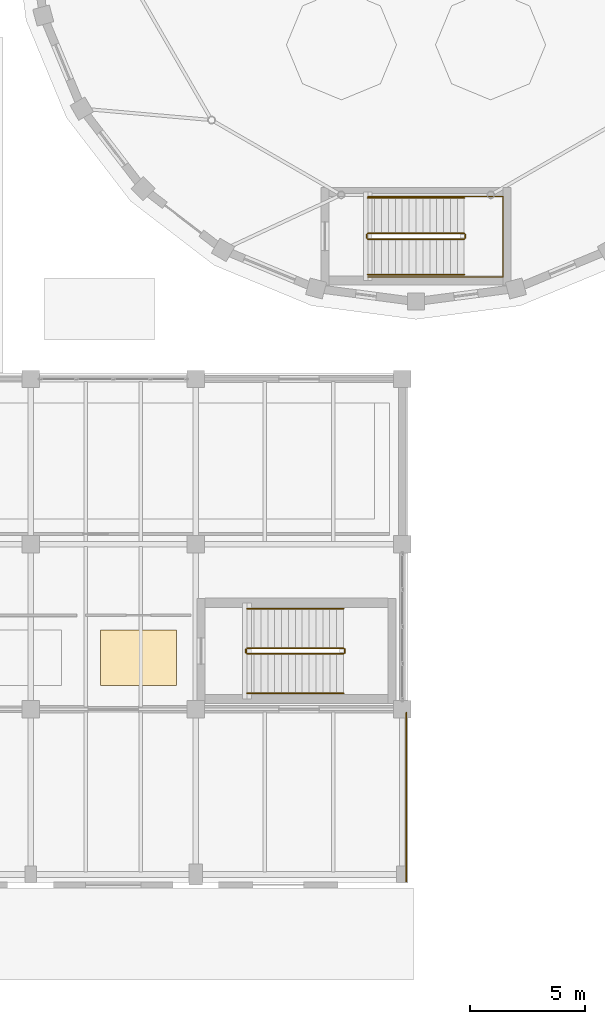
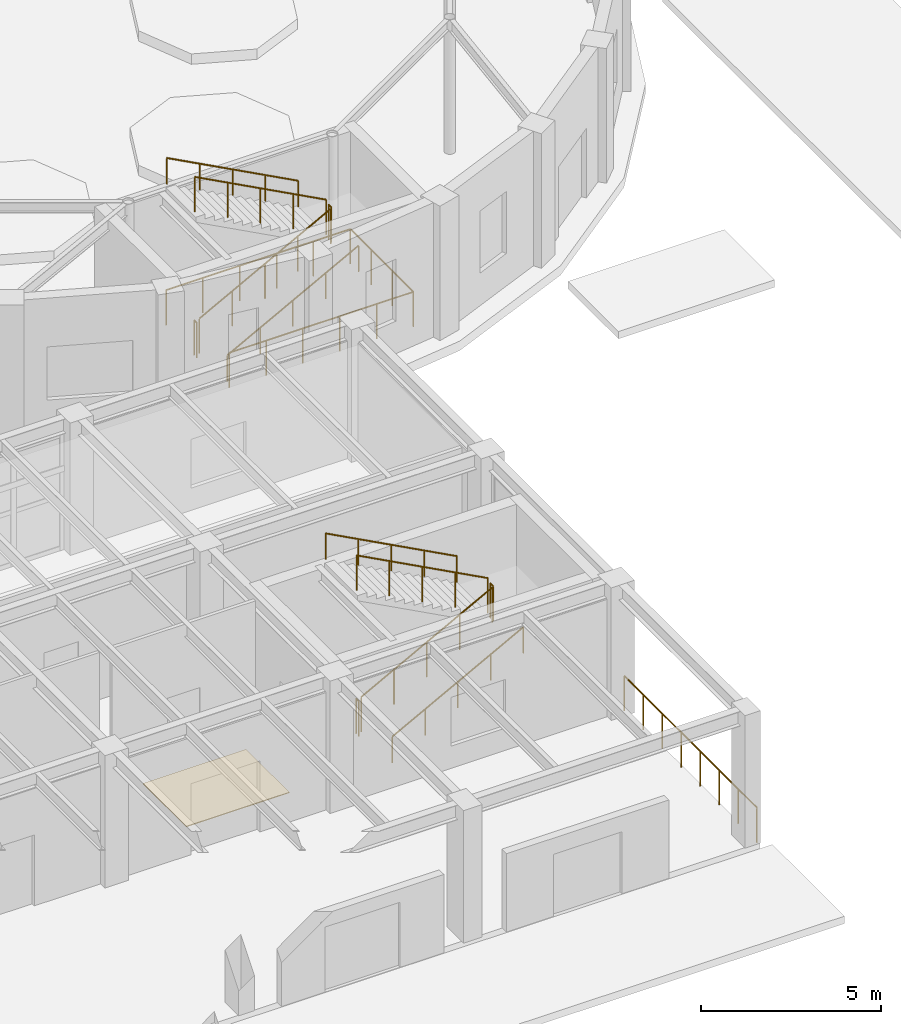
# One storey, part 38 of 39: 14 railings, 1 covering.
"""IFC4 building model written with IfcOpenShell, lengths in metres."""

import ifcopenshell
import ifcopenshell.guid

model = None  # the IFC model being written
_history = None  # IfcOwnerHistory: only IFC2X3 demands one
_inside = {}  # id of a spatial element -> (the spatial element, [elements in it])
_under = {}  # id of a project, library or spatial element -> (it, [spatial elements below it])
_declared = {}  # id of a project -> (the project, [libraries it declares])
_typed = {}  # id of a type object -> (the type object, [elements of that type])
_made_of = {}  # id of a material, layer set ... -> (it, [elements and type objects made of it])


def new_model(schema):
    """Start an empty IFC model of exactly this schema.

    Asked for "IFC4X3", IfcOpenShell would pick the latest addendum, in which some entities
    have other attributes; the version numbers below select the first issue.
    IFC2X3 requires an IfcOwnerHistory on every rooted entity: one is made here for all.
    """
    global model, _history
    if schema == "IFC4X3":
        model = ifcopenshell.file(schema_version=(4, 3, 0, 0))
    else:
        model = ifcopenshell.file(schema=schema)
    _inside.clear()
    _under.clear()
    _declared.clear()
    _typed.clear()
    _made_of.clear()
    _history = None
    if model.schema == "IFC2X3":
        org = make("IfcOrganization", Name="unknown")
        user = make(
            "IfcPersonAndOrganization",
            ThePerson=make("IfcPerson", FamilyName="unknown"),
            TheOrganization=org,
        )
        app = make(
            "IfcApplication",
            ApplicationDeveloper=org,
            Version="unknown",
            ApplicationFullName="unknown",
            ApplicationIdentifier="unknown",
        )
        _history = make(
            "IfcOwnerHistory",
            OwningUser=user,
            OwningApplication=app,
            ChangeAction="ADDED",
            CreationDate=0,
        )
    return model


def make(cls, **values):
    """One entity of the class cls with the attributes given. An attribute that is None is left unset."""
    return model.create_entity(
        cls, **{name: value for name, value in values.items() if value is not None}
    )


def rooted(cls, **values):
    """An entity with a GlobalId (a new one), such as an element, a storey or a relation."""
    return make(cls, GlobalId=ifcopenshell.guid.new(), OwnerHistory=_history, **values)


def si_unit(unit_type, name, prefix=None):
    """IfcSIUnit, for example si_unit("LENGTHUNIT", "METRE", prefix="MILLI")."""
    return make("IfcSIUnit", UnitType=unit_type, Prefix=prefix, Name=name)


def assignment(units):
    """IfcUnitAssignment: the units of a project."""
    return None if units is None else make("IfcUnitAssignment", Units=units)


def point(xyz):
    """IfcCartesianPoint."""
    return None if xyz is None else make("IfcCartesianPoint", Coordinates=xyz)


def direction(xyz):
    """IfcDirection."""
    return None if xyz is None else make("IfcDirection", DirectionRatios=xyz)


def frame(location, z_axis=None, x_axis=None):
    """IfcAxis2Placement3D, a coordinate frame: its origin and axes. An axis left out is left unset."""
    return make(
        "IfcAxis2Placement3D",
        Location=point(location),
        Axis=direction(z_axis),
        RefDirection=direction(x_axis),
    )


def frame_2d(location, x_axis=None):
    """IfcAxis2Placement2D, a coordinate frame in the plane: its origin and x axis."""
    return make(
        "IfcAxis2Placement2D", Location=point(location), RefDirection=direction(x_axis)
    )


def origin():
    """The frame at (0, 0, 0) with its axes left unset."""
    return frame((0.0, 0.0, 0.0))


def origin_2d():
    """The frame at (0, 0) in the plane with its x axis left unset."""
    return frame_2d((0.0, 0.0))


def place(relative_to, where):
    """IfcLocalPlacement: puts the frame where relative to a parent placement (None: the world)."""
    return make(
        "IfcLocalPlacement", PlacementRelTo=relative_to, RelativePlacement=where
    )


def context(
    kind, dimensions, precision=None, world=None, true_north=None, identifier=None
):
    """IfcGeometricRepresentationContext, for example the 3D "Model" context."""
    return make(
        "IfcGeometricRepresentationContext",
        ContextIdentifier=identifier,
        ContextType=kind,
        CoordinateSpaceDimension=dimensions,
        Precision=precision,
        WorldCoordinateSystem=world,
        TrueNorth=true_north,
    )


def subcontext(parent, identifier, kind, view, scale=None):
    """IfcGeometricRepresentationSubContext, for example "Body" below "Model"."""
    return make(
        "IfcGeometricRepresentationSubContext",
        ContextIdentifier=identifier,
        ContextType=kind,
        ParentContext=parent,
        TargetScale=scale,
        TargetView=view,
    )


def project(units=None, contexts=None):
    """IfcProject with its units and contexts."""
    return rooted(
        "IfcProject",
        Name="project",
        RepresentationContexts=contexts,
        UnitsInContext=assignment(units),
    )


def spatial(cls, under=None, at=None, **own):
    """A site, building, storey or space (cls), placed at a placement, below another one or the project."""
    s = rooted(cls, ObjectPlacement=at, **own)
    if under is not None:
        _under.setdefault(under.id(), (under, []))[1].append(s)
    return s


def polyline(points):
    """IfcPolyline through the points."""
    return make("IfcPolyline", Points=[point(p) for p in points])


def profile(cls, at=None, kind="AREA", **sizes):
    """A parametric profile (cls). Its sizes go by their IFC names, for example OverallWidth=200.0."""
    return make(cls, ProfileType=kind, Position=at, **sizes)


def circle(**sizes):
    """IfcCircleProfileDef."""
    return profile("IfcCircleProfileDef", **sizes)


def outline(outer, holes=None, kind="AREA"):
    """IfcArbitraryClosedProfileDef: a profile drawn as a closed curve; with holes, ...WithVoids."""
    if holes is None:
        return make("IfcArbitraryClosedProfileDef", ProfileType=kind, OuterCurve=outer)
    return make(
        "IfcArbitraryProfileDefWithVoids",
        ProfileType=kind,
        OuterCurve=outer,
        InnerCurves=holes,
    )


def extrude(swept, where, along, depth):
    """IfcExtrudedAreaSolid: the profile swept, set in the frame where, extruded along a direction by depth."""
    return make(
        "IfcExtrudedAreaSolid",
        SweptArea=swept,
        Position=where,
        ExtrudedDirection=direction(along),
        Depth=depth,
    )


def shape(context_of_items, identifier, shape_type, items):
    """IfcShapeRepresentation: the items that make up one representation, for example the "Body"."""
    return make(
        "IfcShapeRepresentation",
        ContextOfItems=context_of_items,
        RepresentationIdentifier=identifier,
        RepresentationType=shape_type,
        Items=items,
    )


def material(Name=None, Category=None):
    """IfcMaterial."""
    return make("IfcMaterial", Name=Name, Category=Category)


def layer(
    of_material, thickness, ventilated=None, Name=None, Category=None, Priority=None
):
    """IfcMaterialLayer: one layer of a wall or slab, of a material (None: an air gap)."""
    return make(
        "IfcMaterialLayer",
        Material=of_material,
        LayerThickness=thickness,
        IsVentilated=ventilated,
        Name=Name,
        Category=Category,
        Priority=Priority,
    )


def layer_set(layers, Name=None):
    """IfcMaterialLayerSet."""
    return make("IfcMaterialLayerSet", MaterialLayers=layers, LayerSetName=Name)


def made_of(thing, what):
    """Note that an element or type object is made of a material, layer set ...; save() writes the relation."""
    if what is not None:
        _made_of.setdefault(what.id(), (what, []))[1].append(thing)
    return thing


def type_object(cls, material=None, **own):
    """A type object (cls), such as IfcWallType, which elements share."""
    return made_of(rooted(cls, **own), material)


def element(
    cls,
    number,
    at=None,
    inside=None,
    cuts=None,
    type_object=None,
    material=None,
    context=None,
    identifier="Body",
    shape_type=None,
    held_by="IfcProductDefinitionShape",
    body=None,
    shapes=None,
    **own,
):
    """One element of the class cls, such as IfcWall. Its Tag is "e" and its number.

    at: its placement. inside: the storey or other place that contains it. cuts: it is an
    opening in that element (IfcRelVoidsElement). A single representation is given by context,
    identifier, shape_type and body (its items); several are given by shapes. held_by: the class
    of the entity that holds the representations. save() writes the other relations.
    """
    e = rooted(cls, Tag="e%d" % number, ObjectPlacement=at, **own)
    if body is not None:
        shapes = [shape(context, identifier, shape_type, body)]
    if shapes is not None:
        e.Representation = make(held_by, Representations=shapes)
    if inside is not None:
        _inside.setdefault(inside.id(), (inside, []))[1].append(e)
    if cuts is not None:
        rooted(
            "IfcRelVoidsElement", RelatingBuildingElement=cuts, RelatedOpeningElement=e
        )
    if type_object is not None:
        _typed.setdefault(type_object.id(), (type_object, []))[1].append(e)
    return made_of(e, material)


def aggregate(whole, parts):
    """IfcRelAggregates: a whole, such as a stair, and the parts it consists of."""
    return rooted("IfcRelAggregates", RelatingObject=whole, RelatedObjects=parts)


def save(model, path):
    """Write the relations noted so far, then the file.

    IfcRelAggregates (storeys below a building ...), IfcRelContainedInSpatialStructure (elements
    in a storey), IfcRelDefinesByType, IfcRelAssociatesMaterial and IfcRelDeclares: one each for
    every whole, place, type object, material and project.
    """
    for whole, parts in _under.values():
        aggregate(whole, parts)
    for where, things in _inside.values():
        rooted(
            "IfcRelContainedInSpatialStructure",
            RelatedElements=things,
            RelatingStructure=where,
        )
    for kind, things in _typed.values():
        rooted("IfcRelDefinesByType", RelatedObjects=things, RelatingType=kind)
    for what, things in _made_of.values():
        rooted("IfcRelAssociatesMaterial", RelatedObjects=things, RelatingMaterial=what)
    for by, libraries in _declared.values():
        rooted("IfcRelDeclares", RelatingContext=by, RelatedDefinitions=libraries)
    model.write(path)


model = new_model("IFC4")

# Units and contexts
model_context = context("Model", 3, precision=1e-05, world=origin(), true_north=direction((0.0, 1.0)))
body_context = subcontext(model_context, "Body", "Model", "MODEL_VIEW")
ifc_project = project(units=[si_unit("LENGTHUNIT", "METRE"), si_unit("AREAUNIT", "SQUARE_METRE"), si_unit("VOLUMEUNIT", "CUBIC_METRE"), si_unit("PLANEANGLEUNIT", "RADIAN"), si_unit("MASSUNIT", "GRAM", prefix="KILO")], contexts=[model_context])

# Site, building, storey
site_placement = place(None, origin())
site = spatial("IfcSite", under=ifc_project, at=site_placement, CompositionType="ELEMENT")
building_placement = place(site_placement, origin())
building = spatial("IfcBuilding", under=site, at=building_placement, Name="Kandorven Conservatory and Botanical Research Centre", CompositionType="ELEMENT")
storey_placement = place(building_placement, origin())
storey = spatial("IfcBuildingStorey", under=building, at=storey_placement, Name="L00", CompositionType="ELEMENT", Elevation=0.0)

# Covering
ifc_material_1 = material(Name="Honed Kota stone and epoxy laboratory flooring", Category="masonry")
ifc_layer = layer(ifc_material_1, 0.02490234375)
ifc_layer_set = layer_set([ifc_layer], Name="Honed Kota stone and epoxy laboratory flooring")
covering_type = type_object("IfcCoveringType", Name="Cov_Flooring_1", PredefinedType="FLOORING", material=ifc_layer_set)
covering_placement = place(storey_placement, origin())
element("IfcCovering", 1, at=covering_placement, inside=storey, type_object=covering_type, Name="Floor finish FLR-01 (Botanical Courtyard Cafe)", PredefinedType="FLOORING", context=body_context, shape_type="SweptSolid", body=[
    extrude(outline(polyline([(73.85009765625, 14.25), (77.14990234375, 14.25), (77.14990234375, 16.64990234375), (73.85009765625, 16.64990234375), (73.85009765625, 14.25)])), origin(), (0.0, 0.0, 1.0), 0.02490234375),
])

# Railings
ifc_material_2 = material(Name="Steel S355 (IS 2062 E350)", Category="steel")
railing_type_1 = type_object("IfcRailingType", Name="Guard_Terrace", PredefinedType="BALUSTRADE", material=ifc_material_2)
railing_1_placement = place(storey_placement, frame((87.179931640625, 5.699951171875, 0.0)))
element("IfcRailing", 2, at=railing_1_placement, inside=storey, type_object=railing_type_1, Name="Visitor L00 east colonnade edge guard balustrade GR-01", PredefinedType="BALUSTRADE", context=body_context, shape_type="SweptSolid", body=[
    extrude(circle(Radius=0.02392578125, at=origin_2d()), frame((0.0, 0.0, 1.17578125), z_axis=(0.0, 1.0, 0.0), x_axis=(-1.0, 0.0, 0.0)), (0.0, 0.0, 1.0), 7.35009765625),
    extrude(circle(Radius=0.02099609375, at=origin_2d()), origin(), (0.0, 0.0, 1.0), 1.15185546875),
    extrude(circle(Radius=0.02099609375, at=origin_2d()), frame((0.0, 1.050048828125, 0.0)), (0.0, 0.0, 1.0), 1.15185546875),
    extrude(circle(Radius=0.02099609375, at=origin_2d()), frame((0.0, 2.10009765625, 0.0)), (0.0, 0.0, 1.0), 1.15185546875),
    extrude(circle(Radius=0.02099609375, at=origin_2d()), frame((0.0, 3.150146484375, 0.0)), (0.0, 0.0, 1.0), 1.15185546875),
    extrude(circle(Radius=0.02099609375, at=origin_2d()), frame((0.0, 4.199951171875, 0.0)), (0.0, 0.0, 1.0), 1.15185546875),
    extrude(circle(Radius=0.02099609375, at=origin_2d()), frame((0.0, 5.25, 0.0)), (0.0, 0.0, 1.0), 1.15185546875),
    extrude(circle(Radius=0.02099609375, at=origin_2d()), frame((0.0, 6.300048828125, 0.0)), (0.0, 0.0, 1.0), 1.15185546875),
    extrude(circle(Radius=0.02099609375, at=origin_2d()), frame((0.0, 7.35009765625, 0.0)), (0.0, 0.0, 1.0), 1.15185546875),
])
railing_2_placement = place(storey_placement, frame((85.5, 32.050048828125, 0.0)))
element("IfcRailing", 3, at=railing_2_placement, inside=storey, type_object=railing_type_1, Name="Conservatory stair ST-V1 L00 well edge guard GR-01", PredefinedType="BALUSTRADE", context=body_context, shape_type="SweptSolid", body=[
    extrude(circle(Radius=0.02392578125, at=origin_2d()), frame((0.0, 0.0, 1.17578125), z_axis=(1.0, 0.0, 0.0), x_axis=(0.0, 1.0, 0.0)), (0.0, 0.0, 1.0), 5.89990234375),
    extrude(circle(Radius=0.02392578125, at=origin_2d()), frame((5.89990234375, 0.0, 1.17578125), z_axis=(0.0, 1.0, 0.0), x_axis=(-1.0, 0.0, 0.0)), (0.0, 0.0, 1.0), 3.5),
    extrude(circle(Radius=0.02392578125, at=origin_2d()), frame((5.89990234375, 3.5, 1.17578125), z_axis=(-1.0, 0.0, 0.0), x_axis=(0.0, -1.0, 0.0)), (0.0, 0.0, 1.0), 5.89990234375),
    extrude(circle(Radius=0.02099609375, at=origin_2d()), origin(), (0.0, 0.0, 1.0), 1.15185546875),
    extrude(circle(Radius=0.02099609375, at=origin_2d()), frame((1.179931640625, 0.0, 0.0)), (0.0, 0.0, 1.0), 1.15185546875),
    extrude(circle(Radius=0.02099609375, at=origin_2d()), frame((2.35986328125, 0.0, 0.0)), (0.0, 0.0, 1.0), 1.15185546875),
    extrude(circle(Radius=0.02099609375, at=origin_2d()), frame((3.5400390625, 0.0, 0.0)), (0.0, 0.0, 1.0), 1.15185546875),
    extrude(circle(Radius=0.02099609375, at=origin_2d()), frame((4.719970703125, 0.0, 0.0)), (0.0, 0.0, 1.0), 1.15185546875),
    extrude(circle(Radius=0.02099609375, at=origin_2d()), frame((5.89990234375, 0.0, 0.0)), (0.0, 0.0, 1.0), 1.15185546875),
    extrude(circle(Radius=0.02099609375, at=origin_2d()), frame((5.89990234375, 1.166748046875, 0.0)), (0.0, 0.0, 1.0), 1.15185546875),
    extrude(circle(Radius=0.02099609375, at=origin_2d()), frame((5.89990234375, 2.333251953125, 0.0)), (0.0, 0.0, 1.0), 1.15185546875),
    extrude(circle(Radius=0.02099609375, at=origin_2d()), frame((5.89990234375, 3.5, 0.0)), (0.0, 0.0, 1.0), 1.15185546875),
    extrude(circle(Radius=0.02099609375, at=origin_2d()), frame((4.719970703125, 3.5, 0.0)), (0.0, 0.0, 1.0), 1.15185546875),
    extrude(circle(Radius=0.02099609375, at=origin_2d()), frame((3.5400390625, 3.5, 0.0)), (0.0, 0.0, 1.0), 1.15185546875),
    extrude(circle(Radius=0.02099609375, at=origin_2d()), frame((2.35986328125, 3.5, 0.0)), (0.0, 0.0, 1.0), 1.15185546875),
    extrude(circle(Radius=0.02099609375, at=origin_2d()), frame((1.179931640625, 3.5, 0.0)), (0.0, 0.0, 1.0), 1.15185546875),
    extrude(circle(Radius=0.02099609375, at=origin_2d()), frame((0.0, 3.5, 0.0)), (0.0, 0.0, 1.0), 1.15185546875),
])
ifc_material_3 = material(Name="Steel S355 (IS 2062 E350)", Category="steel")
railing_type_2 = type_object("IfcRailingType", Name="StairGuard_1150", PredefinedType="BALUSTRADE", material=ifc_material_3)
railing_3_placement = place(storey_placement, frame((80.239990234375, 15.6201171875, 0.159912109375)))
element("IfcRailing", 4, at=railing_3_placement, inside=storey, type_object=railing_type_2, Name="L00 ST-V3B stair guard 1", PredefinedType="BALUSTRADE", context=body_context, shape_type="SweptSolid", body=[
    extrude(circle(Radius=0.02392578125, at=origin_2d()), frame((0.0, 0.0, 1.17578125), z_axis=(0.882351521365, 0.0, 0.470590897432), x_axis=(0.0, 1.0, 0.0)), (0.0, 0.0, 1.0), 4.760009765625),
    extrude(circle(Radius=0.02099609375, at=origin_2d()), origin(), (0.0, 0.0, 1.0), 1.15185546875),
    extrude(circle(Radius=0.02099609375, at=origin_2d()), frame((1.050048828125, 0.0, 0.56005859375)), (0.0, 0.0, 1.0), 1.15185546875),
    extrude(circle(Radius=0.02099609375, at=origin_2d()), frame((2.10009765625, 0.0, 1.1201171875)), (0.0, 0.0, 1.0), 1.15185546875),
    extrude(circle(Radius=0.02099609375, at=origin_2d()), frame((3.14990234375, 0.0, 1.679931640625)), (0.0, 0.0, 1.0), 1.15185546875),
    extrude(circle(Radius=0.02099609375, at=origin_2d()), frame((4.199951171875, 0.0, 2.239990234375)), (0.0, 0.0, 1.0), 1.15185546875),
])
railing_4_placement = place(storey_placement, frame((84.489990234375, 15.669921875, 2.39990234375)))
element("IfcRailing", 5, at=railing_4_placement, inside=storey, type_object=railing_type_2, Name="L00 ST-V3B stair guard 2", PredefinedType="BALUSTRADE", context=body_context, shape_type="SweptSolid", body=[
    extrude(circle(Radius=0.02392578125, at=origin_2d()), frame((0.0, 0.0, 1.17578125), z_axis=(0.0, 1.0, 0.0), x_axis=(-1.0, 0.0, 0.0)), (0.0, 0.0, 1.0), 0.150146484375),
    extrude(circle(Radius=0.02099609375, at=origin_2d()), origin(), (0.0, 0.0, 1.0), 1.15185546875),
    extrude(circle(Radius=0.02099609375, at=origin_2d()), frame((0.0, 0.150146484375, 0.0)), (0.0, 0.0, 1.0), 1.15185546875),
])
railing_5_placement = place(storey_placement, frame((84.43994140625, 15.8701171875, 2.56005859375)))
element("IfcRailing", 6, at=railing_5_placement, inside=storey, type_object=railing_type_2, Name="L00 ST-V3B stair guard 3", PredefinedType="BALUSTRADE", context=body_context, shape_type="SweptSolid", body=[
    extrude(circle(Radius=0.02392578125, at=origin_2d()), frame((0.0, 0.0, 1.17578125), z_axis=(-0.882351521365, 0.0, 0.470590897432), x_axis=(0.0, -1.0, 0.0)), (0.0, 0.0, 1.0), 4.760009765625),
    extrude(circle(Radius=0.02099609375, at=origin_2d()), origin(), (0.0, 0.0, 1.0), 1.15185546875),
    extrude(circle(Radius=0.02099609375, at=origin_2d()), frame((-1.050048828125, 0.0, 0.56005859375)), (0.0, 0.0, 1.0), 1.15185546875),
    extrude(circle(Radius=0.02099609375, at=origin_2d()), frame((-2.10009765625, 0.0, 1.1201171875)), (0.0, 0.0, 1.0), 1.15185546875),
    extrude(circle(Radius=0.02099609375, at=origin_2d()), frame((-3.14990234375, 0.0, 1.679931640625)), (0.0, 0.0, 1.0), 1.15185546875),
    extrude(circle(Radius=0.02099609375, at=origin_2d()), frame((-4.199951171875, 0.0, 2.239990234375)), (0.0, 0.0, 1.0), 1.15185546875),
])
railing_6_placement = place(storey_placement, frame((80.18994140625, 15.669921875, 0.0)))
element("IfcRailing", 7, at=railing_6_placement, inside=storey, type_object=railing_type_2, Name="L00 ST-V3B stair guard 4", PredefinedType="BALUSTRADE", context=body_context, shape_type="SweptSolid", body=[
    extrude(circle(Radius=0.02392578125, at=origin_2d()), frame((0.0, 0.0, 1.17578125), z_axis=(0.0, 1.0, 0.0), x_axis=(-1.0, 0.0, 0.0)), (0.0, 0.0, 1.0), 0.150146484375),
    extrude(circle(Radius=0.02099609375, at=origin_2d()), origin(), (0.0, 0.0, 1.0), 1.15185546875),
    extrude(circle(Radius=0.02099609375, at=origin_2d()), frame((0.0, 0.150146484375, 0.0)), (0.0, 0.0, 1.0), 1.15185546875),
])
railing_7_placement = place(storey_placement, frame((85.5, 33.699951171875, 0.159912109375)))
element("IfcRailing", 8, at=railing_7_placement, inside=storey, type_object=railing_type_2, Name="L00 ST-V1 stair guard 1", PredefinedType="BALUSTRADE", context=body_context, shape_type="SweptSolid", body=[
    extrude(circle(Radius=0.02392578125, at=origin_2d()), frame((0.0, 0.0, 1.17578125), z_axis=(0.882351521365, 0.0, 0.470590897432), x_axis=(0.0, 1.0, 0.0)), (0.0, 0.0, 1.0), 4.760009765625),
    extrude(circle(Radius=0.02099609375, at=origin_2d()), origin(), (0.0, 0.0, 1.0), 1.15185546875),
    extrude(circle(Radius=0.02099609375, at=origin_2d()), frame((1.050048828125, 0.0, 0.56005859375)), (0.0, 0.0, 1.0), 1.15185546875),
    extrude(circle(Radius=0.02099609375, at=origin_2d()), frame((2.10009765625, 0.0, 1.1201171875)), (0.0, 0.0, 1.0), 1.15185546875),
    extrude(circle(Radius=0.02099609375, at=origin_2d()), frame((3.14990234375, 0.0, 1.679931640625)), (0.0, 0.0, 1.0), 1.15185546875),
    extrude(circle(Radius=0.02099609375, at=origin_2d()), frame((4.199951171875, 0.0, 2.239990234375)), (0.0, 0.0, 1.0), 1.15185546875),
])
railing_8_placement = place(storey_placement, frame((89.75, 33.75, 2.39990234375)))
element("IfcRailing", 9, at=railing_8_placement, inside=storey, type_object=railing_type_2, Name="L00 ST-V1 stair guard 2", PredefinedType="BALUSTRADE", context=body_context, shape_type="SweptSolid", body=[
    extrude(circle(Radius=0.02392578125, at=origin_2d()), frame((0.0, 0.0, 1.17578125), z_axis=(0.0, 1.0, 0.0), x_axis=(-1.0, 0.0, 0.0)), (0.0, 0.0, 1.0), 0.14990234375),
    extrude(circle(Radius=0.02099609375, at=origin_2d()), origin(), (0.0, 0.0, 1.0), 1.15185546875),
    extrude(circle(Radius=0.02099609375, at=origin_2d()), frame((0.0, 0.14990234375, 0.0)), (0.0, 0.0, 1.0), 1.15185546875),
])
railing_9_placement = place(storey_placement, frame((89.699951171875, 33.949951171875, 2.56005859375)))
element("IfcRailing", 10, at=railing_9_placement, inside=storey, type_object=railing_type_2, Name="L00 ST-V1 stair guard 3", PredefinedType="BALUSTRADE", context=body_context, shape_type="SweptSolid", body=[
    extrude(circle(Radius=0.02392578125, at=origin_2d()), frame((0.0, 0.0, 1.17578125), z_axis=(-0.882351521365, 0.0, 0.470590897432), x_axis=(0.0, -1.0, 0.0)), (0.0, 0.0, 1.0), 4.760009765625),
    extrude(circle(Radius=0.02099609375, at=origin_2d()), origin(), (0.0, 0.0, 1.0), 1.15185546875),
    extrude(circle(Radius=0.02099609375, at=origin_2d()), frame((-1.050048828125, 0.0, 0.56005859375)), (0.0, 0.0, 1.0), 1.15185546875),
    extrude(circle(Radius=0.02099609375, at=origin_2d()), frame((-2.10009765625, 0.0, 1.1201171875)), (0.0, 0.0, 1.0), 1.15185546875),
    extrude(circle(Radius=0.02099609375, at=origin_2d()), frame((-3.14990234375, 0.0, 1.679931640625)), (0.0, 0.0, 1.0), 1.15185546875),
    extrude(circle(Radius=0.02099609375, at=origin_2d()), frame((-4.199951171875, 0.0, 2.239990234375)), (0.0, 0.0, 1.0), 1.15185546875),
])
railing_10_placement = place(storey_placement, frame((85.449951171875, 33.75, 0.0)))
element("IfcRailing", 11, at=railing_10_placement, inside=storey, type_object=railing_type_2, Name="L00 ST-V1 stair guard 4", PredefinedType="BALUSTRADE", context=body_context, shape_type="SweptSolid", body=[
    extrude(circle(Radius=0.02392578125, at=origin_2d()), frame((0.0, 0.0, 1.17578125), z_axis=(0.0, 1.0, 0.0), x_axis=(-1.0, 0.0, 0.0)), (0.0, 0.0, 1.0), 0.14990234375),
    extrude(circle(Radius=0.02099609375, at=origin_2d()), origin(), (0.0, 0.0, 1.0), 1.15185546875),
    extrude(circle(Radius=0.02099609375, at=origin_2d()), frame((0.0, 0.14990234375, 0.0)), (0.0, 0.0, 1.0), 1.15185546875),
])
ifc_material_4 = material(Name="Steel S355 (IS 2062 E350)", Category="steel")
railing_type_3 = type_object("IfcRailingType", Name="StairHandrail_900", PredefinedType="HANDRAIL", material=ifc_material_4)
railing_11_placement = place(storey_placement, frame((80.239990234375, 13.89990234375, 0.159912109375)))
element("IfcRailing", 12, at=railing_11_placement, inside=storey, type_object=railing_type_3, Name="L00 ST-V3B stair handrail 1", PredefinedType="HANDRAIL", context=body_context, shape_type="SweptSolid", body=[
    extrude(circle(Radius=0.02392578125, at=origin_2d()), frame((0.0, 0.0, 0.8759765625), z_axis=(0.882351521365, 0.0, 0.470590897432), x_axis=(0.0, 1.0, 0.0)), (0.0, 0.0, 1.0), 4.760009765625),
    extrude(circle(Radius=0.02099609375, at=origin_2d()), origin(), (0.0, 0.0, 1.0), 0.851806640625),
    extrude(circle(Radius=0.02099609375, at=origin_2d()), frame((1.050048828125, 0.0, 0.56005859375)), (0.0, 0.0, 1.0), 0.851806640625),
    extrude(circle(Radius=0.02099609375, at=origin_2d()), frame((2.10009765625, 0.0, 1.1201171875)), (0.0, 0.0, 1.0), 0.851806640625),
    extrude(circle(Radius=0.02099609375, at=origin_2d()), frame((3.14990234375, 0.0, 1.679931640625)), (0.0, 0.0, 1.0), 0.851806640625),
    extrude(circle(Radius=0.02099609375, at=origin_2d()), frame((4.199951171875, 0.0, 2.239990234375)), (0.0, 0.0, 1.0), 0.851806640625),
])
railing_12_placement = place(storey_placement, frame((84.43994140625, 17.590087890625, 2.56005859375)))
element("IfcRailing", 13, at=railing_12_placement, inside=storey, type_object=railing_type_3, Name="L00 ST-V3B stair handrail 2", PredefinedType="HANDRAIL", context=body_context, shape_type="SweptSolid", body=[
    extrude(circle(Radius=0.02392578125, at=origin_2d()), frame((0.0, 0.0, 0.8759765625), z_axis=(-0.882351521365, 0.0, 0.470590897432), x_axis=(0.0, -1.0, 0.0)), (0.0, 0.0, 1.0), 4.760009765625),
    extrude(circle(Radius=0.02099609375, at=origin_2d()), origin(), (0.0, 0.0, 1.0), 0.851806640625),
    extrude(circle(Radius=0.02099609375, at=origin_2d()), frame((-1.050048828125, 0.0, 0.56005859375)), (0.0, 0.0, 1.0), 0.851806640625),
    extrude(circle(Radius=0.02099609375, at=origin_2d()), frame((-2.10009765625, 0.0, 1.1201171875)), (0.0, 0.0, 1.0), 0.851806640625),
    extrude(circle(Radius=0.02099609375, at=origin_2d()), frame((-3.14990234375, 0.0, 1.679931640625)), (0.0, 0.0, 1.0), 0.851806640625),
    extrude(circle(Radius=0.02099609375, at=origin_2d()), frame((-4.199951171875, 0.0, 2.239990234375)), (0.0, 0.0, 1.0), 0.851806640625),
])
railing_13_placement = place(storey_placement, frame((85.5, 32.14990234375, 0.159912109375)))
element("IfcRailing", 14, at=railing_13_placement, inside=storey, type_object=railing_type_3, Name="L00 ST-V1 stair handrail 1", PredefinedType="HANDRAIL", context=body_context, shape_type="SweptSolid", body=[
    extrude(circle(Radius=0.02392578125, at=origin_2d()), frame((0.0, 0.0, 0.8759765625), z_axis=(0.882351521365, 0.0, 0.470590897432), x_axis=(0.0, 1.0, 0.0)), (0.0, 0.0, 1.0), 4.760009765625),
    extrude(circle(Radius=0.02099609375, at=origin_2d()), origin(), (0.0, 0.0, 1.0), 0.851806640625),
    extrude(circle(Radius=0.02099609375, at=origin_2d()), frame((1.050048828125, 0.0, 0.56005859375)), (0.0, 0.0, 1.0), 0.851806640625),
    extrude(circle(Radius=0.02099609375, at=origin_2d()), frame((2.10009765625, 0.0, 1.1201171875)), (0.0, 0.0, 1.0), 0.851806640625),
    extrude(circle(Radius=0.02099609375, at=origin_2d()), frame((3.14990234375, 0.0, 1.679931640625)), (0.0, 0.0, 1.0), 0.851806640625),
    extrude(circle(Radius=0.02099609375, at=origin_2d()), frame((4.199951171875, 0.0, 2.239990234375)), (0.0, 0.0, 1.0), 0.851806640625),
])
railing_14_placement = place(storey_placement, frame((89.699951171875, 35.5, 2.56005859375)))
element("IfcRailing", 15, at=railing_14_placement, inside=storey, type_object=railing_type_3, Name="L00 ST-V1 stair handrail 2", PredefinedType="HANDRAIL", context=body_context, shape_type="SweptSolid", body=[
    extrude(circle(Radius=0.02392578125, at=origin_2d()), frame((0.0, 0.0, 0.8759765625), z_axis=(-0.882351521365, 0.0, 0.470590897432), x_axis=(0.0, -1.0, 0.0)), (0.0, 0.0, 1.0), 4.760009765625),
    extrude(circle(Radius=0.02099609375, at=origin_2d()), origin(), (0.0, 0.0, 1.0), 0.851806640625),
    extrude(circle(Radius=0.02099609375, at=origin_2d()), frame((-1.050048828125, 0.0, 0.56005859375)), (0.0, 0.0, 1.0), 0.851806640625),
    extrude(circle(Radius=0.02099609375, at=origin_2d()), frame((-2.10009765625, 0.0, 1.1201171875)), (0.0, 0.0, 1.0), 0.851806640625),
    extrude(circle(Radius=0.02099609375, at=origin_2d()), frame((-3.14990234375, 0.0, 1.679931640625)), (0.0, 0.0, 1.0), 0.851806640625),
    extrude(circle(Radius=0.02099609375, at=origin_2d()), frame((-4.199951171875, 0.0, 2.239990234375)), (0.0, 0.0, 1.0), 0.851806640625),
])

save(model, "model.ifc")
